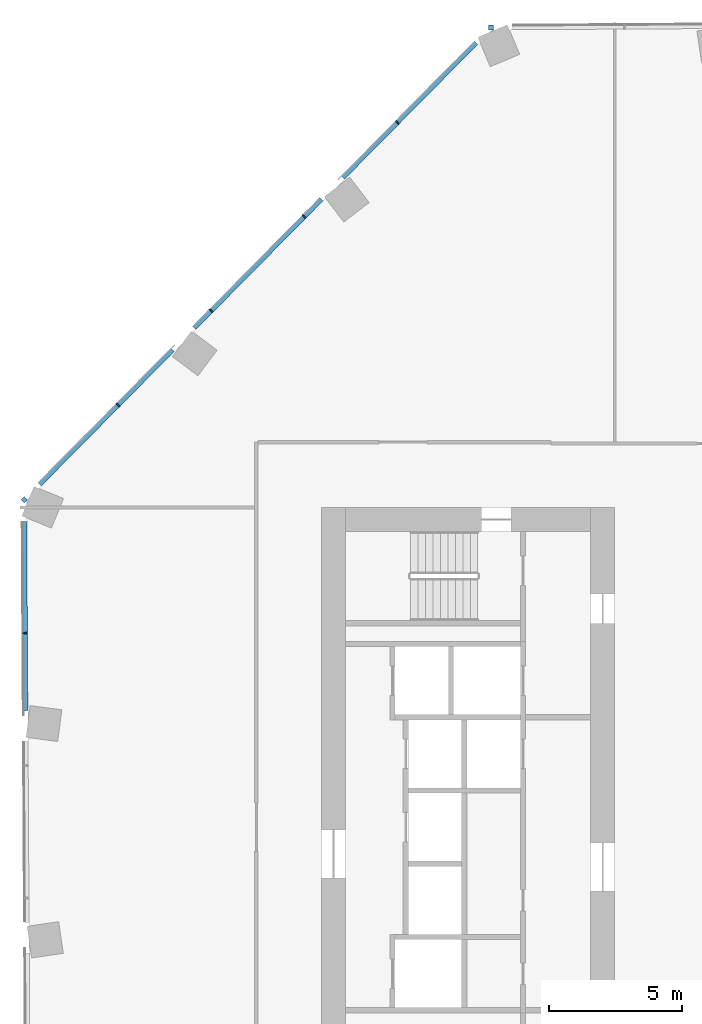
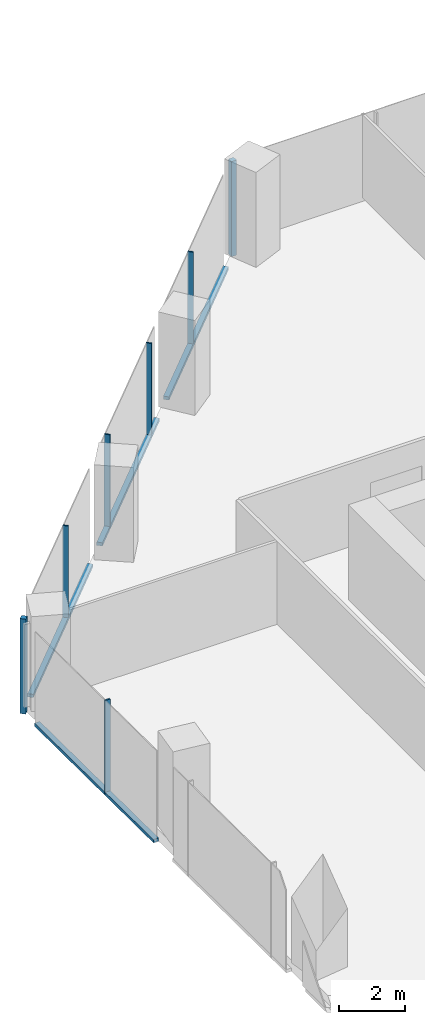
# One storey, part 9 of 27: 11 members, 3 elements without a shape of their own.
"""IFC4 building model written with IfcOpenShell, lengths in metres."""

from ifc_helpers import new_model, si_unit, direction, frame, origin, origin_2d, place, context, subcontext, project, spatial, rectangle, extrude, material, material_profile, profile_set, type_object, element, aggregate, save


model = new_model("IFC4")

# Units and contexts
model_context = context("Model", 3, precision=1e-05, world=origin(), true_north=direction((0.0, 1.0)))
body_context = subcontext(model_context, "Body", "Model", "MODEL_VIEW")
ifc_project = project(units=[si_unit("LENGTHUNIT", "METRE"), si_unit("AREAUNIT", "SQUARE_METRE"), si_unit("VOLUMEUNIT", "CUBIC_METRE"), si_unit("PLANEANGLEUNIT", "RADIAN"), si_unit("MASSUNIT", "GRAM", prefix="KILO")], contexts=[model_context])

# Site, building, storey
site_placement = place(None, origin())
site = spatial("IfcSite", under=ifc_project, at=site_placement, CompositionType="ELEMENT")
building_placement = place(site_placement, origin())
building = spatial("IfcBuilding", under=site, at=building_placement, Name="Orlundy Tower", CompositionType="ELEMENT")
storey_placement = place(building_placement, frame((0.0, 0.0, 195.60009765625)))
storey = spatial("IfcBuildingStorey", under=building, at=storey_placement, Name="L51", CompositionType="ELEMENT", Elevation=195.60009765625)

# Curtain wall, member
ifc_material_1 = material(Name="Aluminium bronze anodised", Category="aluminium")
curtain_wall_type = type_object("IfcCurtainWallType", Name="CW1 wall", PredefinedType="NOTDEFINED", material=ifc_material_1)
curtain_wall_1_placement = place(storey_placement, origin())
curtain_wall_1 = element("IfcCurtainWall", 1, at=curtain_wall_1_placement, inside=storey, type_object=curtain_wall_type, Name="CW1 run 03", PredefinedType="NOTDEFINED")
ifc_material_2 = material(Name="Aluminium bronze anodised", Category="aluminium")
ifc_material_profile_1 = material_profile(ifc_material_2, rectangle(XDim=0.179931640625, YDim=0.179931640625, at=origin_2d()), Name="CW1 corner post 180x180")
ifc_profile_set_1 = profile_set([ifc_material_profile_1], Name="Aluminium bronze anodised")
member_type_1 = type_object("IfcMemberType", Name="CW1 corner post 180x180", PredefinedType="MULLION", material=ifc_profile_set_1)
member_1_placement = place(storey_placement, frame((-30.162109375, 12.288818359375, -0.420166015625), z_axis=(0.0, 0.0, 1.0), x_axis=(-0.711199102506, 0.702990637629, 0.0)))
member_1 = element("IfcMember", 2, at=member_1_placement, type_object=member_type_1, Name="CW1 mullion 14", PredefinedType="MULLION", context=body_context, shape_type="SweptSolid", body=[
    extrude(rectangle(XDim=0.179931640625, YDim=0.179931640625, at=origin_2d()), origin(), (0.0, 0.0, 1.0), 3.5),
])

curtain_wall_2_placement = place(storey_placement, origin())
curtain_wall_2 = element("IfcCurtainWall", 3, at=curtain_wall_2_placement, inside=storey, type_object=curtain_wall_type, Name="CW1 run 04", PredefinedType="NOTDEFINED")
member_2_placement = place(storey_placement, frame((-12.638916015625, 30.016845703125, -0.420166015625), z_axis=(0.0, 0.0, 1.0), x_axis=(-0.005834206419, 0.999982980873, 0.0)))
member_2 = element("IfcMember", 4, at=member_2_placement, type_object=member_type_1, Name="CW1 mullion 19", PredefinedType="MULLION", context=body_context, shape_type="SweptSolid", body=[
    extrude(rectangle(XDim=0.179931640625, YDim=0.179931640625, at=origin_2d()), origin(), (0.0, 0.0, 1.0), 3.5),
])
aggregate(curtain_wall_2, [member_2])

curtain_wall_3_placement = place(storey_placement, origin())
curtain_wall_3 = element("IfcCurtainWall", 5, at=curtain_wall_3_placement, inside=storey, type_object=curtain_wall_type, Name="CW1 run 02", PredefinedType="NOTDEFINED")
ifc_material_3 = material(Name="Aluminium bronze anodised", Category="aluminium")
ifc_material_profile_2 = material_profile(ifc_material_3, rectangle(XDim=0.179931640625, YDim=0.050048828125, at=origin_2d()), Name="CW1 mullion 50x180")
ifc_profile_set_2 = profile_set([ifc_material_profile_2], Name="Aluminium bronze anodised")
member_type_2 = type_object("IfcMemberType", Name="CW1 mullion 50x180", PredefinedType="MULLION", material=ifc_profile_set_2)
member_3_placement = place(storey_placement, frame((-30.133056640625, 7.28076171875, -0.420166015625), z_axis=(0.0, 0.0, 1.0), x_axis=(-0.999982980873, -0.005834206419, 0.0)))
member_3 = element("IfcMember", 6, at=member_3_placement, type_object=member_type_2, Name="CW1 mullion 13", PredefinedType="MULLION", context=body_context, shape_type="SweptSolid", body=[
    extrude(rectangle(XDim=0.179931640625, YDim=0.050048828125, at=origin_2d()), origin(), (0.0, 0.0, 1.0), 3.5),
])

# Member
member_4_placement = place(storey_placement, frame((-26.641845703125, 15.850341796875, -0.420166015625), z_axis=(0.0, 0.0, 1.0), x_axis=(-0.711199102506, 0.702990637629, 0.0)))
member_4 = element("IfcMember", 7, at=member_4_placement, type_object=member_type_2, Name="CW1 mullion 15", PredefinedType="MULLION", context=body_context, shape_type="SweptSolid", body=[
    extrude(rectangle(XDim=0.179931640625, YDim=0.050048828125, at=origin_2d()), origin(), (0.0, 0.0, 1.0), 3.5),
])

member_5_placement = place(storey_placement, frame((-23.147705078125, 19.38525390625, -0.420166015625), z_axis=(0.0, 0.0, 1.0), x_axis=(-0.711199102506, 0.702990637629, 0.0)))
member_5 = element("IfcMember", 8, at=member_5_placement, type_object=member_type_2, Name="CW1 mullion 16", PredefinedType="MULLION", context=body_context, shape_type="SweptSolid", body=[
    extrude(rectangle(XDim=0.179931640625, YDim=0.050048828125, at=origin_2d()), origin(), (0.0, 0.0, 1.0), 3.5),
])

member_6_placement = place(storey_placement, frame((-19.6533203125, 22.920166015625, -0.420166015625), z_axis=(0.0, 0.0, 1.0), x_axis=(-0.711199102506, 0.702990637629, 0.0)))
member_6 = element("IfcMember", 9, at=member_6_placement, type_object=member_type_2, Name="CW1 mullion 17", PredefinedType="MULLION", context=body_context, shape_type="SweptSolid", body=[
    extrude(rectangle(XDim=0.179931640625, YDim=0.050048828125, at=origin_2d()), origin(), (0.0, 0.0, 1.0), 3.5),
])

member_7_placement = place(storey_placement, frame((-16.1591796875, 26.455322265625, -0.420166015625), z_axis=(0.0, 0.0, 1.0), x_axis=(-0.711199102506, 0.702990637629, 0.0)))
member_7 = element("IfcMember", 10, at=member_7_placement, type_object=member_type_2, Name="CW1 mullion 18", PredefinedType="MULLION", context=body_context, shape_type="SweptSolid", body=[
    extrude(rectangle(XDim=0.179931640625, YDim=0.050048828125, at=origin_2d()), origin(), (0.0, 0.0, 1.0), 3.5),
])

ifc_material_4 = material(Name="Aluminium bronze anodised", Category="aluminium")
ifc_material_profile_3 = material_profile(ifc_material_4, rectangle(XDim=0.179931640625, YDim=0.1201171875, at=origin_2d()), Name="CW1 transom 180x120")
ifc_profile_set_3 = profile_set([ifc_material_profile_3], Name="Aluminium bronze anodised")
member_type_3 = type_object("IfcMemberType", Name="CW1 transom 180x120", PredefinedType="USERDEFINED", material=ifc_profile_set_3)
member_8_placement = place(storey_placement, frame((-30.115966796875, 4.36865234375, -0.360107421875), z_axis=(-0.005838414073, 0.999982956315, 0.0), x_axis=(-0.999982956315, -0.005838414073, 0.0)))
member_8 = element("IfcMember", 11, at=member_8_placement, type_object=member_type_3, Name="CW1 transom", ObjectType="TRANSOM", PredefinedType="USERDEFINED", context=body_context, shape_type="SweptSolid", body=[
    extrude(rectangle(XDim=0.179931640625, YDim=0.1201171875, at=origin_2d()), origin(), (0.0, 0.0, 1.0), 7.108642578125),
])

aggregate(curtain_wall_3, [member_3, member_8])

member_9_placement = place(storey_placement, frame((-29.59130859375, 12.8662109375, -0.360107421875), z_axis=(0.702972766617, 0.711216766812, 0.0), x_axis=(-0.711216766812, 0.702972766617, 0.0)))
member_9 = element("IfcMember", 12, at=member_9_placement, type_object=member_type_3, Name="CW1 transom", ObjectType="TRANSOM", PredefinedType="USERDEFINED", context=body_context, shape_type="SweptSolid", body=[
    extrude(rectangle(XDim=0.179931640625, YDim=0.1201171875, at=origin_2d()), origin(), (0.0, 0.0, 1.0), 7.107421875),
])

member_10_placement = place(storey_placement, frame((-23.78857421875, 18.73681640625, -0.360107421875), z_axis=(0.70298076766, 0.711208858424, 0.0), x_axis=(-0.711208858424, 0.70298076766, 0.0)))
member_10 = element("IfcMember", 13, at=member_10_placement, type_object=member_type_3, Name="CW1 transom", ObjectType="TRANSOM", PredefinedType="USERDEFINED", context=body_context, shape_type="SweptSolid", body=[
    extrude(rectangle(XDim=0.179931640625, YDim=0.1201171875, at=origin_2d()), origin(), (0.0, 0.0, 1.0), 6.794677734375),
])

member_11_placement = place(storey_placement, frame((-18.2041015625, 24.386474609375, -0.360107421875), z_axis=(0.702988736898, 0.711200981295, 0.0), x_axis=(-0.711200981295, 0.702988736898, 0.0)))
member_11 = element("IfcMember", 14, at=member_11_placement, type_object=member_type_3, Name="CW1 transom", ObjectType="TRANSOM", PredefinedType="USERDEFINED", context=body_context, shape_type="SweptSolid", body=[
    extrude(rectangle(XDim=0.179931640625, YDim=0.1201171875, at=origin_2d()), origin(), (0.0, 0.0, 1.0), 7.105224609375),
])

aggregate(curtain_wall_1, [member_1, member_4, member_5, member_6, member_7, member_9, member_10, member_11])

save(model, "model.ifc")
